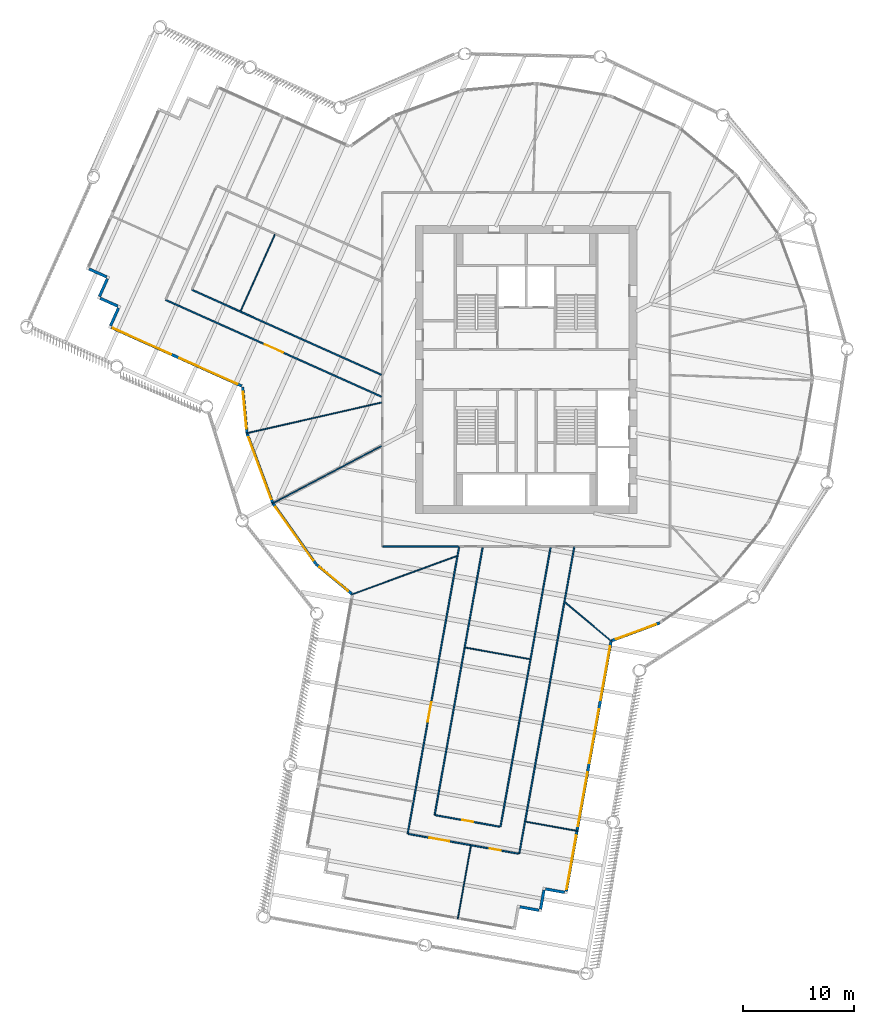
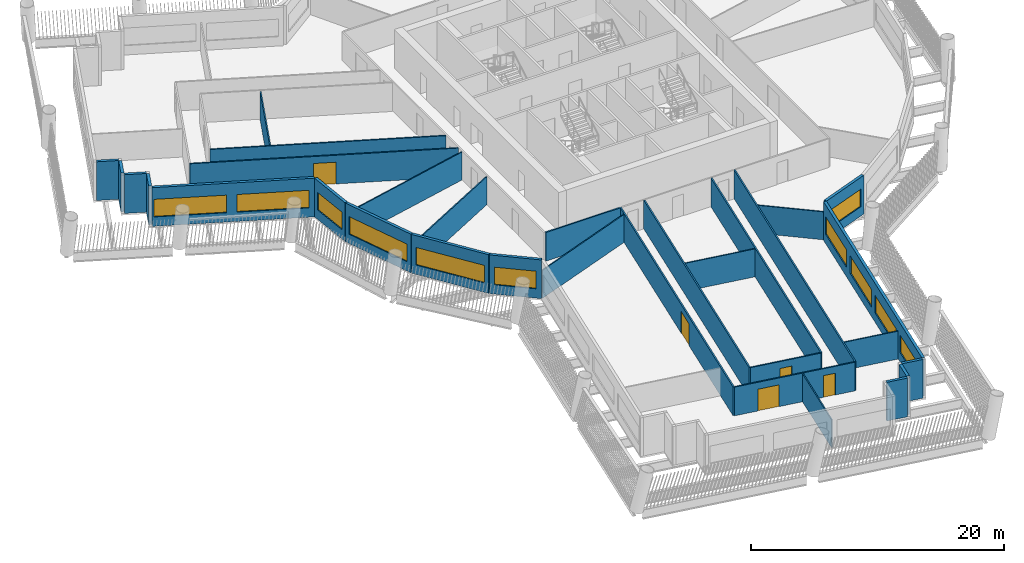
# One storey, part 3 of 14: 31 walls, 11 windows, 5 doors, 16 openings.
"""IFC4 building model written with IfcOpenShell, lengths in metres."""

from ifc_helpers import new_model, si_unit, direction, frame, frame_2d, origin, place, context, subcontext, project, spatial, rectangle, extrude, material, layer, layer_set, type_object, element, fill, save


model = new_model("IFC4")

# Units and contexts
model_context = context("Model", 3, precision=1e-05, world=origin(), true_north=direction((0.0, 1.0)))
body_context = subcontext(model_context, "Body", "Model", "MODEL_VIEW")
ifc_project = project(units=[si_unit("LENGTHUNIT", "METRE"), si_unit("AREAUNIT", "SQUARE_METRE"), si_unit("VOLUMEUNIT", "CUBIC_METRE"), si_unit("PLANEANGLEUNIT", "RADIAN"), si_unit("MASSUNIT", "GRAM", prefix="KILO")], contexts=[model_context])

# Site, building, storey
site_placement = place(None, origin())
site = spatial("IfcSite", under=ifc_project, at=site_placement, CompositionType="ELEMENT")
building_placement = place(site_placement, origin())
building = spatial("IfcBuilding", under=site, at=building_placement, Name="Tarsis Ring Headquarters", CompositionType="ELEMENT")
storey_placement = place(building_placement, frame((0.0, 0.0, 182.699951171875)))
storey = spatial("IfcBuildingStorey", under=building, at=storey_placement, Name="L42", CompositionType="ELEMENT", Elevation=182.699951171875)

# Walls
ifc_material_1 = material(Name="Gypsum board on steel studs", Category="steel")
ifc_layer_1 = layer(ifc_material_1, 0.10009765625)
ifc_layer_set_1 = layer_set([ifc_layer_1], Name="FL partition 100 unrated")
wall_type_1 = type_object("IfcWallType", Name="FL partition 100 unrated", PredefinedType="PARTITIONING", material=ifc_layer_set_1)
wall_1_placement = place(storey_placement, frame((-25.299072265625, -5.766357421875, 0.0), z_axis=(0.0, 0.0, 1.0), x_axis=(0.974993487323, 0.222233435102, 0.0)))
element("IfcWall", 1, at=wall_1_placement, inside=storey, type_object=wall_type_1, Name="Partition PW3", PredefinedType="PARTITIONING", context=body_context, shape_type="SweptSolid", body=[
    extrude(rectangle(XDim=12.544677734375, YDim=0.10009765625, at=frame_2d((6.2724609375, 0.0))), origin(), (0.0, 0.0, 1.0), 2.699951171875),
])
wall_2_placement = place(storey_placement, frame((-22.944580078125, -12.11767578125, 0.0), z_axis=(0.0, 0.0, 1.0), x_axis=(0.884257498296, 0.466999653863, 0.0)))
element("IfcWall", 2, at=wall_2_placement, inside=storey, type_object=wall_type_1, Name="Partition PW3", PredefinedType="PARTITIONING", context=body_context, shape_type="SweptSolid", body=[
    extrude(rectangle(XDim=11.15625, YDim=0.10009765625, at=frame_2d((5.578125, 0.0))), origin(), (0.0, 0.0, 1.0), 2.699951171875),
])
wall_3_placement = place(storey_placement, frame((-15.756103515625, -20.318603515625, 0.0), z_axis=(0.0, 0.0, 1.0), x_axis=(0.939148779408, 0.343510655055, 0.0)))
element("IfcWall", 3, at=wall_3_placement, inside=storey, type_object=wall_type_1, Name="Partition PW3", PredefinedType="PARTITIONING", context=body_context, shape_type="SweptSolid", body=[
    extrude(rectangle(XDim=10.077392578125, YDim=0.10009765625, at=frame_2d((5.03857421875, 0.0))), origin(), (0.0, 0.0, 1.0), 2.699951171875),
])
wall_4_placement = place(storey_placement, frame((-25.7900390625, 5.2998046875, 0.0), z_axis=(0.0, 0.0, 1.0), x_axis=(0.409294194307, 0.912402467394, 0.0)))
element("IfcWall", 4, at=wall_4_placement, inside=storey, type_object=wall_type_1, Name="Partition PW3", PredefinedType="PARTITIONING", context=body_context, shape_type="SweptSolid", body=[
    extrude(rectangle(XDim=7.56005859375, YDim=0.10009765625, at=frame_2d((3.780029296875, 0.0))), origin(), (0.0, 0.0, 1.0), 2.699951171875),
])
wall_5_placement = place(storey_placement, frame((-6.182861328125, -49.6376953125, 0.0), z_axis=(0.0, 0.0, 1.0), x_axis=(0.176393811627, 0.984319675319, 0.0)))
element("IfcWall", 5, at=wall_5_placement, inside=storey, type_object=wall_type_1, Name="Partition PW3", PredefinedType="PARTITIONING", context=body_context, shape_type="SweptSolid", body=[
    extrude(rectangle(XDim=6.7099609375, YDim=0.10009765625, at=frame_2d((3.35498046875, 0.0))), origin(), (0.0, 0.0, 1.0), 2.699951171875),
])
wall_6_placement = place(storey_placement, frame((-5.486328125, -25.115966796875, 0.0), z_axis=(0.0, 0.0, 1.0), x_axis=(0.984317666653, -0.176405020093, 0.0)))
element("IfcWall", 6, at=wall_6_placement, inside=storey, type_object=wall_type_1, Name="Partition PW3", PredefinedType="PARTITIONING", context=body_context, shape_type="SweptSolid", body=[
    extrude(rectangle(XDim=5.89990234375, YDim=0.10009765625, at=frame_2d((2.949951171875, 0.0))), origin(), (0.0, 0.0, 1.0), 2.699951171875),
])
wall_7_placement = place(storey_placement, frame((3.52294921875, -21.0419921875, 0.0), z_axis=(0.0, 0.0, 1.0), x_axis=(0.767074072456, -0.641558545548, 0.0)))
element("IfcWall", 7, at=wall_7_placement, inside=storey, type_object=wall_type_1, Name="Partition PW3", PredefinedType="PARTITIONING", context=body_context, shape_type="SweptSolid", body=[
    extrude(rectangle(XDim=5.4658203125, YDim=0.10009765625, at=frame_2d((2.73291015625, 0.0))), origin(), (0.0, 0.0, 1.0), 2.699951171875),
])
wall_8_placement = place(storey_placement, frame((-0.035400390625, -40.84423828125, 0.0), z_axis=(0.0, 0.0, 1.0), x_axis=(0.984316264024, -0.176412846406, 0.0)))
element("IfcWall", 8, at=wall_8_placement, inside=storey, type_object=wall_type_1, Name="Partition PW3", PredefinedType="PARTITIONING", context=body_context, shape_type="SweptSolid", body=[
    extrude(rectangle(XDim=4.780029296875, YDim=0.10009765625, at=frame_2d((2.39013671875, 0.0))), origin(), (0.0, 0.0, 1.0), 2.699951171875),
])
ifc_layer_2 = layer(ifc_material_1, 0.125)
ifc_layer_set_2 = layer_set([ifc_layer_2], Name="FL partition 125 EI 60 H2770")
wall_type_2 = type_object("IfcWallType", Name="FL partition 125 EI 60 H2770", PredefinedType="PARTITIONING", material=ifc_layer_set_2)
wall_9_placement = place(storey_placement, frame((-0.62646484375, -43.74560546875, 0.0), z_axis=(0.0, 0.0, 1.0), x_axis=(0.176395545633, 0.984319364577, 0.0)))
element("IfcWall", 9, at=wall_9_placement, inside=storey, type_object=wall_type_2, Name="Partition PW1", PredefinedType="PARTITIONING", context=body_context, shape_type="SweptSolid", body=[
    extrude(rectangle(XDim=28.1875, YDim=0.125, at=frame_2d((14.09375, 0.0))), origin(), (0.0, 0.0, 1.0), 2.77001953125),
])

# Wall, opening, door
wall_10_placement = place(storey_placement, frame((-10.705810546875, -41.939208984375, 0.0), z_axis=(0.0, 0.0, 1.0), x_axis=(0.176395027342, 0.984319457457, 0.0)))
wall_10 = element("IfcWall", 10, at=wall_10_placement, inside=storey, type_object=wall_type_2, Name="Partition PW1", PredefinedType="PARTITIONING", context=body_context, shape_type="SweptSolid", body=[
    extrude(rectangle(XDim=26.3525390625, YDim=0.125, at=frame_2d((13.17626953125, 0.0))), origin(), (0.0, 0.0, 1.0), 2.77001953125),
])
opening_1_placement = place(wall_10_placement, frame((10.287109375, 0.0, 0.0)))
opening_1 = element("IfcOpeningElement", 11, at=opening_1_placement, cuts=wall_10, Name="Opening D42.12", PredefinedType="OPENING", context=body_context, shape_type="SweptSolid", body=[
    extrude(rectangle(XDim=1.800048828125, YDim=2.10009765625, at=frame_2d((0.89990234375, 1.050048828125))), frame((0.0, 0.072509765625, 0.0), z_axis=(0.0, -1.0, 0.0), x_axis=(1.0, 0.0, 0.0)), (0.0, 0.0, 1.0), 0.14501953125),
])
ifc_material_2 = material(Name="Fire-rated timber door leaf in steel frame", Category="steel")
door_type_1 = type_object("IfcDoorType", Name="FL door FD60-1800", OperationType="DOUBLE_DOOR_SINGLE_SWING", PredefinedType="DOOR", material=ifc_material_2)
door_1_placement = place(opening_1_placement, origin())
door_1 = element("IfcDoor", 12, at=door_1_placement, inside=storey, type_object=door_type_1, Name="Door D42.12", OperationType="DOUBLE_DOOR_SINGLE_SWING", OverallHeight=2.10009765625, OverallWidth=1.800048828125, PredefinedType="DOOR", context=body_context, shape_type="SweptSolid", body=[
    extrude(rectangle(XDim=1.800048828125, YDim=2.10009765625, at=frame_2d((0.89990234375, 1.050048828125))), frame((0.0, 0.02490234375, 0.0), z_axis=(0.0, -1.0, 0.0), x_axis=(1.0, 0.0, 0.0)), (0.0, 0.0, 1.0), 0.050048828125),
])
fill(opening_1, door_1)

# Walls
wall_11_placement = place(storey_placement, frame((-12.93994140625, -16.0, 0.0), z_axis=(0.0, 0.0, 1.0), x_axis=(1.0, 0.0, 0.0)))
element("IfcWall", 13, at=wall_11_placement, inside=storey, type_object=wall_type_2, Name="Partition PW1", PredefinedType="PARTITIONING", context=body_context, shape_type="SweptSolid", body=[
    extrude(rectangle(XDim=6.807861328125, YDim=0.125, at=frame_2d((3.40380859375, 0.0))), origin(), (0.0, 0.0, 1.0), 2.77001953125),
])
wall_12_placement = place(storey_placement, frame((-2.322998046875, -41.30810546875, 0.0), z_axis=(0.0, 0.0, 1.0), x_axis=(0.176393006181, 0.984319819657, 0.0)))
element("IfcWall", 14, at=wall_12_placement, inside=storey, type_object=wall_type_2, Name="Partition PW1", PredefinedType="PARTITIONING", context=body_context, shape_type="SweptSolid", body=[
    extrude(rectangle(XDim=25.641357421875, YDim=0.125, at=frame_2d((12.82080078125, 0.0))), origin(), (0.0, 0.0, 1.0), 2.77001953125),
])
wall_13_placement = place(storey_placement, frame((-8.268310546875, -40.242431640625, 0.0), z_axis=(0.0, 0.0, 1.0), x_axis=(0.176395133227, 0.984319438482, 0.0)))
element("IfcWall", 15, at=wall_13_placement, inside=storey, type_object=wall_type_2, Name="Partition PW1", PredefinedType="PARTITIONING", context=body_context, shape_type="SweptSolid", body=[
    extrude(rectangle(XDim=24.55859375, YDim=0.125, at=frame_2d((12.279296875, 0.0))), origin(), (0.0, 0.0, 1.0), 2.77001953125),
])

# Wall, opening, door
wall_14_placement = place(storey_placement, frame((-32.5771484375, 6.294921875, 0.0), z_axis=(0.0, 0.0, 1.0), x_axis=(0.912405757979, -0.409286858824, 0.0)))
wall_14 = element("IfcWall", 16, at=wall_14_placement, inside=storey, type_object=wall_type_2, Name="Partition PW1", PredefinedType="PARTITIONING", context=body_context, shape_type="SweptSolid", body=[
    extrude(rectangle(XDim=21.36669921875, YDim=0.125, at=frame_2d((10.683349609375, 0.0))), origin(), (0.0, 0.0, 1.0), 2.77001953125),
])
opening_2_placement = place(wall_14_placement, frame((9.828369140625, 0.0, 0.0)))
opening_2 = element("IfcOpeningElement", 17, at=opening_2_placement, cuts=wall_14, Name="Opening D42.01", PredefinedType="OPENING", context=body_context, shape_type="SweptSolid", body=[
    extrude(rectangle(XDim=1.800048828125, YDim=2.10009765625, at=frame_2d((0.89990234375, 1.050048828125))), frame((0.0, 0.072509765625, 0.0), z_axis=(0.0, -1.0, 0.0), x_axis=(1.0, 0.0, 0.0)), (0.0, 0.0, 1.0), 0.14501953125),
])
door_2_placement = place(opening_2_placement, origin())
door_2 = element("IfcDoor", 18, at=door_2_placement, inside=storey, type_object=door_type_1, Name="Door D42.01", OperationType="DOUBLE_DOOR_SINGLE_SWING", OverallHeight=2.10009765625, OverallWidth=1.800048828125, PredefinedType="DOOR", context=body_context, shape_type="SweptSolid", body=[
    extrude(rectangle(XDim=1.800048828125, YDim=2.10009765625, at=frame_2d((0.89990234375, 1.050048828125))), frame((0.0, 0.02490234375, 0.0), z_axis=(0.0, -1.0, 0.0), x_axis=(1.0, 0.0, 0.0)), (0.0, 0.0, 1.0), 0.050048828125),
])
fill(opening_2, door_2)

# Wall
wall_15_placement = place(storey_placement, frame((-30.1982421875, 7.200439453125, 0.0), z_axis=(0.0, 0.0, 1.0), x_axis=(0.912405941297, -0.409286450161, 0.0)))
element("IfcWall", 19, at=wall_15_placement, inside=storey, type_object=wall_type_2, Name="Partition PW1", PredefinedType="PARTITIONING", context=body_context, shape_type="SweptSolid", body=[
    extrude(rectangle(XDim=18.759521484375, YDim=0.125, at=frame_2d((9.3798828125, 0.0))), origin(), (0.0, 0.0, 1.0), 2.77001953125),
])

# Wall, openings, doors
wall_16_placement = place(storey_placement, frame((-10.646728515625, -41.94970703125, 0.0), z_axis=(0.0, 0.0, 1.0), x_axis=(0.984318392021, -0.176400972585, 0.0)))
wall_16 = element("IfcWall", 20, at=wall_16_placement, inside=storey, type_object=wall_type_2, Name="Partition PW1", PredefinedType="PARTITIONING", context=body_context, shape_type="SweptSolid", body=[
    extrude(rectangle(XDim=10.119873046875, YDim=0.125, at=frame_2d((5.06005859375, 0.0))), origin(), (0.0, 0.0, 1.0), 2.77001953125),
])
opening_3_placement = place(wall_16_placement, frame((7.46337890625, 0.0, 0.0)))
opening_3 = element("IfcOpeningElement", 21, at=opening_3_placement, cuts=wall_16, Name="Opening D42.10", PredefinedType="OPENING", context=body_context, shape_type="SweptSolid", body=[
    extrude(rectangle(XDim=1.0, YDim=2.10009765625, at=frame_2d((0.5, 1.050048828125))), frame((0.0, 0.072509765625, 0.0), z_axis=(0.0, -1.0, 0.0), x_axis=(1.0, 0.0, 0.0)), (0.0, 0.0, 1.0), 0.14501953125),
])
opening_4_placement = place(wall_16_placement, frame((1.943359375, 0.0, 0.0)))
opening_4 = element("IfcOpeningElement", 22, at=opening_4_placement, cuts=wall_16, Name="Opening D42.11", PredefinedType="OPENING", context=body_context, shape_type="SweptSolid", body=[
    extrude(rectangle(XDim=1.800048828125, YDim=2.10009765625, at=frame_2d((0.89990234375, 1.050048828125))), frame((0.0, 0.072509765625, 0.0), z_axis=(0.0, -1.0, 0.0), x_axis=(1.0, 0.0, 0.0)), (0.0, 0.0, 1.0), 0.14501953125),
])
door_type_2 = type_object("IfcDoorType", Name="FL door FD60-1000", OperationType="NOTDEFINED", PredefinedType="DOOR", material=ifc_material_2)
door_3_placement = place(opening_3_placement, origin())
door_3 = element("IfcDoor", 23, at=door_3_placement, inside=storey, type_object=door_type_2, Name="Door D42.10", OperationType="SINGLE_SWING_RIGHT", OverallHeight=2.10009765625, OverallWidth=1.0, PredefinedType="DOOR", context=body_context, shape_type="SweptSolid", body=[
    extrude(rectangle(XDim=1.0, YDim=2.10009765625, at=frame_2d((0.5, 1.050048828125))), frame((0.0, 0.02490234375, 0.0), z_axis=(0.0, -1.0, 0.0), x_axis=(1.0, 0.0, 0.0)), (0.0, 0.0, 1.0), 0.050048828125),
])
fill(opening_3, door_3)
door_4_placement = place(opening_4_placement, origin())
door_4 = element("IfcDoor", 24, at=door_4_placement, inside=storey, type_object=door_type_1, Name="Door D42.11", OperationType="DOUBLE_DOOR_SINGLE_SWING", OverallHeight=2.10009765625, OverallWidth=1.800048828125, PredefinedType="DOOR", context=body_context, shape_type="SweptSolid", body=[
    extrude(rectangle(XDim=1.800048828125, YDim=2.10009765625, at=frame_2d((0.89990234375, 1.050048828125))), frame((0.0, 0.02490234375, 0.0), z_axis=(0.0, -1.0, 0.0), x_axis=(1.0, 0.0, 0.0)), (0.0, 0.0, 1.0), 0.050048828125),
])
fill(opening_4, door_4)

# Wall, opening, door
wall_17_placement = place(storey_placement, frame((-8.209228515625, -40.253173828125, 0.0), z_axis=(0.0, 0.0, 1.0), x_axis=(0.984321364741, -0.176384383987, 0.0)))
wall_17 = element("IfcWall", 25, at=wall_17_placement, inside=storey, type_object=wall_type_2, Name="Partition PW1", PredefinedType="PARTITIONING", context=body_context, shape_type="SweptSolid", body=[
    extrude(rectangle(XDim=5.919921875, YDim=0.125, at=frame_2d((2.9599609375, 0.0))), origin(), (0.0, 0.0, 1.0), 2.77001953125),
])
opening_5_placement = place(wall_17_placement, frame((2.4599609375, 0.0, 0.0)))
opening_5 = element("IfcOpeningElement", 26, at=opening_5_placement, cuts=wall_17, Name="Opening D42.18", PredefinedType="OPENING", context=body_context, shape_type="SweptSolid", body=[
    extrude(rectangle(XDim=1.0, YDim=2.10009765625, at=frame_2d((0.5, 1.050048828125))), frame((0.0, 0.072509765625, 0.0), z_axis=(0.0, -1.0, 0.0), x_axis=(1.0, 0.0, 0.0)), (0.0, 0.0, 1.0), 0.14501953125),
])
door_5_placement = place(opening_5_placement, origin())
door_5 = element("IfcDoor", 27, at=door_5_placement, inside=storey, type_object=door_type_2, Name="Door D42.18", OperationType="SINGLE_SWING_RIGHT", OverallHeight=2.10009765625, OverallWidth=1.0, PredefinedType="DOOR", context=body_context, shape_type="SweptSolid", body=[
    extrude(rectangle(XDim=1.0, YDim=2.10009765625, at=frame_2d((0.5, 1.050048828125))), frame((0.0, 0.02490234375, 0.0), z_axis=(0.0, -1.0, 0.0), x_axis=(1.0, 0.0, 0.0)), (0.0, 0.0, 1.0), 0.050048828125),
])
fill(opening_5, door_5)

# Wall, openings, windows
ifc_material_3 = material(Name="Terracotta clad insulated panel wall", Category="masonry")
ifc_layer_3 = layer(ifc_material_3, 0.25)
ifc_layer_set_3 = layer_set([ifc_layer_3], Name="Facade wall terracotta panel 250")
wall_type_3 = type_object("IfcWallType", Name="Facade wall terracotta panel 250", PredefinedType="STANDARD", material=ifc_layer_set_3)
wall_18_placement = place(storey_placement, frame((-37.478759765625, 3.797119140625, 0.0), z_axis=(0.0, 0.0, 1.0), x_axis=(0.91240448245, -0.409289702297, 0.0)))
wall_18 = element("IfcWall", 28, at=wall_18_placement, inside=storey, type_object=wall_type_3, Name="External wall L42-01", PredefinedType="STANDARD", context=body_context, shape_type="SweptSolid", body=[
    extrude(rectangle(XDim=12.921875, YDim=0.25, at=frame_2d((6.4609375, 0.0))), origin(), (0.0, 0.0, 1.0), 3.739990234375),
])
opening_6_placement = place(wall_18_placement, frame((0.16796875, 0.0, 0.89990234375)))
opening_6 = element("IfcOpeningElement", 29, at=opening_6_placement, cuts=wall_18, Name="Opening WN06", PredefinedType="OPENING", context=body_context, shape_type="SweptSolid", body=[
    extrude(rectangle(XDim=5.75, YDim=1.699951171875, at=frame_2d((2.875, 0.85009765625))), frame((0.0, 0.135009765625, 0.0), z_axis=(0.0, -1.0, 0.0), x_axis=(1.0, 0.0, 0.0)), (0.0, 0.0, 1.0), 0.27001953125),
])
opening_7_placement = place(wall_18_placement, frame((6.75390625, 0.0, 0.89990234375)))
opening_7 = element("IfcOpeningElement", 30, at=opening_7_placement, cuts=wall_18, Name="Opening WN06", PredefinedType="OPENING", context=body_context, shape_type="SweptSolid", body=[
    extrude(rectangle(XDim=5.75, YDim=1.699951171875, at=frame_2d((2.875, 0.85009765625))), frame((0.0, 0.135009765625, 0.0), z_axis=(0.0, -1.0, 0.0), x_axis=(1.0, 0.0, 0.0)), (0.0, 0.0, 1.0), 0.27001953125),
])
ifc_material_4 = material(Name="Aluminium framed double glazing", Category="aluminium")
window_type_1 = type_object("IfcWindowType", Name="Facade window 5750 x 1700", PartitioningType="SINGLE_PANEL", PredefinedType="WINDOW", material=ifc_material_4)
window_1_placement = place(opening_6_placement, origin())
window_1 = element("IfcWindow", 31, at=window_1_placement, inside=storey, type_object=window_type_1, Name="Window L42-01.1", OverallHeight=1.699951171875, OverallWidth=5.75, PartitioningType="SINGLE_PANEL", PredefinedType="WINDOW", context=body_context, shape_type="SweptSolid", body=[
    extrude(rectangle(XDim=5.75, YDim=1.699951171875, at=frame_2d((2.875, 0.85009765625))), frame((0.0, 0.030029296875, 0.0), z_axis=(0.0, -1.0, 0.0), x_axis=(1.0, 0.0, 0.0)), (0.0, 0.0, 1.0), 0.06005859375),
])
fill(opening_6, window_1)
window_2_placement = place(opening_7_placement, origin())
window_2 = element("IfcWindow", 32, at=window_2_placement, inside=storey, type_object=window_type_1, Name="Window L42-01.2", OverallHeight=1.699951171875, OverallWidth=5.75, PartitioningType="SINGLE_PANEL", PredefinedType="WINDOW", context=body_context, shape_type="SweptSolid", body=[
    extrude(rectangle(XDim=5.75, YDim=1.699951171875, at=frame_2d((2.875, 0.85009765625))), frame((0.0, 0.030029296875, 0.0), z_axis=(0.0, -1.0, 0.0), x_axis=(1.0, 0.0, 0.0)), (0.0, 0.0, 1.0), 0.06005859375),
])
fill(opening_7, window_2)

# Wall, opening, window
wall_19_placement = place(storey_placement, frame((-25.615478515625, -1.593994140625, 0.0), z_axis=(0.0, 0.0, 1.0), x_axis=(0.093071490578, -0.995659428541, 0.0)))
wall_19 = element("IfcWall", 33, at=wall_19_placement, inside=storey, type_object=wall_type_3, Name="External wall L42-02", PredefinedType="STANDARD", context=body_context, shape_type="SweptSolid", body=[
    extrude(rectangle(XDim=4.15771484375, YDim=0.25, at=frame_2d((2.078857421875, 0.0))), origin(), (0.0, 0.0, 1.0), 3.739990234375),
])
opening_8_placement = place(wall_19_placement, frame((0.420166015625, 0.0, 0.89990234375)))
opening_8 = element("IfcOpeningElement", 34, at=opening_8_placement, cuts=wall_19, Name="Opening WN01", PredefinedType="OPENING", context=body_context, shape_type="SweptSolid", body=[
    extrude(rectangle(XDim=3.35009765625, YDim=1.699951171875, at=frame_2d((1.675048828125, 0.85009765625))), frame((0.0, 0.135009765625, 0.0), z_axis=(0.0, -1.0, 0.0), x_axis=(1.0, 0.0, 0.0)), (0.0, 0.0, 1.0), 0.27001953125),
])
window_type_2 = type_object("IfcWindowType", Name="Facade window 3350 x 1700", PartitioningType="SINGLE_PANEL", PredefinedType="WINDOW", material=ifc_material_4)
window_3_placement = place(opening_8_placement, origin())
window_3 = element("IfcWindow", 35, at=window_3_placement, inside=storey, type_object=window_type_2, Name="Window L42-02.1", OverallHeight=1.699951171875, OverallWidth=3.35009765625, PartitioningType="SINGLE_PANEL", PredefinedType="WINDOW", context=body_context, shape_type="SweptSolid", body=[
    extrude(rectangle(XDim=3.35009765625, YDim=1.699951171875, at=frame_2d((1.675048828125, 0.85009765625))), frame((0.0, 0.030029296875, 0.0), z_axis=(0.0, -1.0, 0.0), x_axis=(1.0, 0.0, 0.0)), (0.0, 0.0, 1.0), 0.06005859375),
])
fill(opening_8, window_3)

wall_20_placement = place(storey_placement, frame((-25.22119140625, -5.765380859375, 0.0), z_axis=(0.0, 0.0, 1.0), x_axis=(0.347598253457, -0.937643564577, 0.0)))
wall_20 = element("IfcWall", 36, at=wall_20_placement, inside=storey, type_object=wall_type_3, Name="External wall L42-03", PredefinedType="STANDARD", context=body_context, shape_type="SweptSolid", body=[
    extrude(rectangle(XDim=6.7216796875, YDim=0.25, at=frame_2d((3.36083984375, 0.0))), origin(), (0.0, 0.0, 1.0), 3.739990234375),
])
opening_9_placement = place(wall_20_placement, frame((0.3857421875, 0.0, 0.89990234375)))
opening_9 = element("IfcOpeningElement", 37, at=opening_9_placement, cuts=wall_20, Name="Opening WN07", PredefinedType="OPENING", context=body_context, shape_type="SweptSolid", body=[
    extrude(rectangle(XDim=5.949951171875, YDim=1.699951171875, at=frame_2d((2.97509765625, 0.85009765625))), frame((0.0, 0.135009765625, 0.0), z_axis=(0.0, -1.0, 0.0), x_axis=(1.0, 0.0, 0.0)), (0.0, 0.0, 1.0), 0.27001953125),
])
window_type_3 = type_object("IfcWindowType", Name="Facade window 5950 x 1700", PartitioningType="SINGLE_PANEL", PredefinedType="WINDOW", material=ifc_material_4)
window_4_placement = place(opening_9_placement, origin())
window_4 = element("IfcWindow", 38, at=window_4_placement, inside=storey, type_object=window_type_3, Name="Window L42-03.1", OverallHeight=1.699951171875, OverallWidth=5.949951171875, PartitioningType="SINGLE_PANEL", PredefinedType="WINDOW", context=body_context, shape_type="SweptSolid", body=[
    extrude(rectangle(XDim=5.949951171875, YDim=1.699951171875, at=frame_2d((2.97509765625, 0.85009765625))), frame((0.0, 0.030029296875, 0.0), z_axis=(0.0, -1.0, 0.0), x_axis=(1.0, 0.0, 0.0)), (0.0, 0.0, 1.0), 0.06005859375),
])
fill(opening_9, window_4)

wall_21_placement = place(storey_placement, frame((-22.86962890625, -12.0966796875, 0.0), z_axis=(0.0, 0.0, 1.0), x_axis=(0.578434490124, -0.815728840139, 0.0)))
wall_21 = element("IfcWall", 39, at=wall_21_placement, inside=storey, type_object=wall_type_3, Name="External wall L42-04", PredefinedType="STANDARD", context=body_context, shape_type="SweptSolid", body=[
    extrude(rectangle(XDim=6.721435546875, YDim=0.25, at=frame_2d((3.36083984375, 0.0))), origin(), (0.0, 0.0, 1.0), 3.739990234375),
])
opening_10_placement = place(wall_21_placement, frame((0.3857421875, 0.0, 0.89990234375)))
opening_10 = element("IfcOpeningElement", 40, at=opening_10_placement, cuts=wall_21, Name="Opening WN07", PredefinedType="OPENING", context=body_context, shape_type="SweptSolid", body=[
    extrude(rectangle(XDim=5.949951171875, YDim=1.699951171875, at=frame_2d((2.97509765625, 0.85009765625))), frame((0.0, 0.135009765625, 0.0), z_axis=(0.0, -1.0, 0.0), x_axis=(1.0, 0.0, 0.0)), (0.0, 0.0, 1.0), 0.27001953125),
])
window_5_placement = place(opening_10_placement, origin())
window_5 = element("IfcWindow", 41, at=window_5_placement, inside=storey, type_object=window_type_3, Name="Window L42-04.1", OverallHeight=1.699951171875, OverallWidth=5.949951171875, PartitioningType="SINGLE_PANEL", PredefinedType="WINDOW", context=body_context, shape_type="SweptSolid", body=[
    extrude(rectangle(XDim=5.949951171875, YDim=1.699951171875, at=frame_2d((2.97509765625, 0.85009765625))), frame((0.0, 0.030029296875, 0.0), z_axis=(0.0, -1.0, 0.0), x_axis=(1.0, 0.0, 0.0)), (0.0, 0.0, 1.0), 0.06005859375),
])
fill(opening_10, window_5)

wall_22_placement = place(storey_placement, frame((-18.95947265625, -17.603515625, 0.0), z_axis=(0.0, 0.0, 1.0), x_axis=(0.769836070293, -0.638241666515, 0.0)))
wall_22 = element("IfcWall", 42, at=wall_22_placement, inside=storey, type_object=wall_type_3, Name="External wall L42-05", PredefinedType="STANDARD", context=body_context, shape_type="SweptSolid", body=[
    extrude(rectangle(XDim=4.15771484375, YDim=0.25, at=frame_2d((2.078857421875, 0.0))), origin(), (0.0, 0.0, 1.0), 3.739990234375),
])
opening_11_placement = place(wall_22_placement, frame((0.38720703125, 0.0, 0.89990234375)))
opening_11 = element("IfcOpeningElement", 43, at=opening_11_placement, cuts=wall_22, Name="Opening WN01", PredefinedType="OPENING", context=body_context, shape_type="SweptSolid", body=[
    extrude(rectangle(XDim=3.35009765625, YDim=1.699951171875, at=frame_2d((1.675048828125, 0.85009765625))), frame((0.0, 0.135009765625, 0.0), z_axis=(0.0, -1.0, 0.0), x_axis=(1.0, 0.0, 0.0)), (0.0, 0.0, 1.0), 0.27001953125),
])
window_6_placement = place(opening_11_placement, origin())
window_6 = element("IfcWindow", 44, at=window_6_placement, inside=storey, type_object=window_type_2, Name="Window L42-05.1", OverallHeight=1.699951171875, OverallWidth=3.35009765625, PartitioningType="SINGLE_PANEL", PredefinedType="WINDOW", context=body_context, shape_type="SweptSolid", body=[
    extrude(rectangle(XDim=3.35009765625, YDim=1.699951171875, at=frame_2d((1.675048828125, 0.85009765625))), frame((0.0, 0.030029296875, 0.0), z_axis=(0.0, -1.0, 0.0), x_axis=(1.0, 0.0, 0.0)), (0.0, 0.0, 1.0), 0.06005859375),
])
fill(opening_11, window_6)

# Walls
for number, where, z_axis, x_axis, name in (
    (45, (-0.570556640625, -48.535400390625, 0.0), (0.0, 0.0, 1.0), (0.98430663953, -0.176466538975, 0.0), "External wall L42-13"),
    (46, (1.297119140625, -48.7431640625, 0.0), (0.0, 0.0, 1.0), (0.176466538975, 0.98430663953, 0.0), "External wall L42-14"),
):
    element("IfcWall", number, at=place(storey_placement, frame(where, z_axis=z_axis, x_axis=x_axis)), inside=storey, type_object=wall_type_3, Name=name, PredefinedType="STANDARD", context=body_context, shape_type="SweptSolid", body=[
        extrude(rectangle(XDim=1.75, YDim=0.25, at=frame_2d((0.875, 0.0))), origin(), (0.0, 0.0, 1.0), 3.739990234375),
    ])
wall_23_placement = place(storey_placement, frame((1.7509765625, -46.919677734375, 0.0), z_axis=(0.0, 0.0, 1.0), x_axis=(0.984326523056, -0.176355595343, 0.0)))
element("IfcWall", 47, at=wall_23_placement, inside=storey, type_object=wall_type_3, Name="External wall L42-15", PredefinedType="STANDARD", context=body_context, shape_type="SweptSolid", body=[
    extrude(rectangle(XDim=1.749755859375, YDim=0.25, at=frame_2d((0.875, 0.0))), origin(), (0.0, 0.0, 1.0), 3.739990234375),
])

# Wall, openings, windows
wall_24_placement = place(storey_placement, frame((3.61865234375, -47.127197265625, 0.0), z_axis=(0.0, 0.0, 1.0), x_axis=(0.176401621417, 0.984318275743, 0.0)))
wall_24 = element("IfcWall", 48, at=wall_24_placement, inside=storey, type_object=wall_type_3, Name="External wall L42-16", PredefinedType="STANDARD", context=body_context, shape_type="SweptSolid", body=[
    extrude(rectangle(XDim=22.901123046875, YDim=0.25, at=frame_2d((11.45068359375, 0.0))), origin(), (0.0, 0.0, 1.0), 3.739990234375),
])
opening_12_placement = place(wall_24_placement, frame((0.1689453125, 0.0, 0.89990234375)))
opening_12 = element("IfcOpeningElement", 49, at=opening_12_placement, cuts=wall_24, Name="Opening WN05", PredefinedType="OPENING", context=body_context, shape_type="SweptSolid", body=[
    extrude(rectangle(XDim=4.949951171875, YDim=1.699951171875, at=frame_2d((2.47509765625, 0.85009765625))), frame((0.0, 0.135009765625, 0.0), z_axis=(0.0, -1.0, 0.0), x_axis=(1.0, 0.0, 0.0)), (0.0, 0.0, 1.0), 0.27001953125),
])
opening_13_placement = place(wall_24_placement, frame((5.956787109375, 0.0, 0.89990234375)))
opening_13 = element("IfcOpeningElement", 50, at=opening_13_placement, cuts=wall_24, Name="Opening WN05", PredefinedType="OPENING", context=body_context, shape_type="SweptSolid", body=[
    extrude(rectangle(XDim=4.949951171875, YDim=1.699951171875, at=frame_2d((2.47509765625, 0.85009765625))), frame((0.0, 0.135009765625, 0.0), z_axis=(0.0, -1.0, 0.0), x_axis=(1.0, 0.0, 0.0)), (0.0, 0.0, 1.0), 0.27001953125),
])
opening_14_placement = place(wall_24_placement, frame((11.74462890625, 0.0, 0.89990234375)))
opening_14 = element("IfcOpeningElement", 51, at=opening_14_placement, cuts=wall_24, Name="Opening WN05", PredefinedType="OPENING", context=body_context, shape_type="SweptSolid", body=[
    extrude(rectangle(XDim=4.949951171875, YDim=1.699951171875, at=frame_2d((2.47509765625, 0.85009765625))), frame((0.0, 0.135009765625, 0.0), z_axis=(0.0, -1.0, 0.0), x_axis=(1.0, 0.0, 0.0)), (0.0, 0.0, 1.0), 0.27001953125),
])
opening_15_placement = place(wall_24_placement, frame((17.532470703125, 0.0, 0.89990234375)))
opening_15 = element("IfcOpeningElement", 52, at=opening_15_placement, cuts=wall_24, Name="Opening WN05", PredefinedType="OPENING", context=body_context, shape_type="SweptSolid", body=[
    extrude(rectangle(XDim=4.949951171875, YDim=1.699951171875, at=frame_2d((2.47509765625, 0.85009765625))), frame((0.0, 0.135009765625, 0.0), z_axis=(0.0, -1.0, 0.0), x_axis=(1.0, 0.0, 0.0)), (0.0, 0.0, 1.0), 0.27001953125),
])
window_type_4 = type_object("IfcWindowType", Name="Facade window 4950 x 1700", PartitioningType="SINGLE_PANEL", PredefinedType="WINDOW", material=ifc_material_4)
window_7_placement = place(opening_12_placement, origin())
window_7 = element("IfcWindow", 53, at=window_7_placement, inside=storey, type_object=window_type_4, Name="Window L42-16.1", OverallHeight=1.699951171875, OverallWidth=4.949951171875, PartitioningType="SINGLE_PANEL", PredefinedType="WINDOW", context=body_context, shape_type="SweptSolid", body=[
    extrude(rectangle(XDim=4.949951171875, YDim=1.699951171875, at=frame_2d((2.47509765625, 0.85009765625))), frame((0.0, 0.030029296875, 0.0), z_axis=(0.0, -1.0, 0.0), x_axis=(1.0, 0.0, 0.0)), (0.0, 0.0, 1.0), 0.06005859375),
])
fill(opening_12, window_7)
window_8_placement = place(opening_13_placement, origin())
window_8 = element("IfcWindow", 54, at=window_8_placement, inside=storey, type_object=window_type_4, Name="Window L42-16.2", OverallHeight=1.699951171875, OverallWidth=4.949951171875, PartitioningType="SINGLE_PANEL", PredefinedType="WINDOW", context=body_context, shape_type="SweptSolid", body=[
    extrude(rectangle(XDim=4.949951171875, YDim=1.699951171875, at=frame_2d((2.47509765625, 0.85009765625))), frame((0.0, 0.030029296875, 0.0), z_axis=(0.0, -1.0, 0.0), x_axis=(1.0, 0.0, 0.0)), (0.0, 0.0, 1.0), 0.06005859375),
])
fill(opening_13, window_8)
window_9_placement = place(opening_14_placement, origin())
window_9 = element("IfcWindow", 55, at=window_9_placement, inside=storey, type_object=window_type_4, Name="Window L42-16.3", OverallHeight=1.699951171875, OverallWidth=4.949951171875, PartitioningType="SINGLE_PANEL", PredefinedType="WINDOW", context=body_context, shape_type="SweptSolid", body=[
    extrude(rectangle(XDim=4.949951171875, YDim=1.699951171875, at=frame_2d((2.47509765625, 0.85009765625))), frame((0.0, 0.030029296875, 0.0), z_axis=(0.0, -1.0, 0.0), x_axis=(1.0, 0.0, 0.0)), (0.0, 0.0, 1.0), 0.06005859375),
])
fill(opening_14, window_9)
window_10_placement = place(opening_15_placement, origin())
window_10 = element("IfcWindow", 56, at=window_10_placement, inside=storey, type_object=window_type_4, Name="Window L42-16.4", OverallHeight=1.699951171875, OverallWidth=4.949951171875, PartitioningType="SINGLE_PANEL", PredefinedType="WINDOW", context=body_context, shape_type="SweptSolid", body=[
    extrude(rectangle(XDim=4.949951171875, YDim=1.699951171875, at=frame_2d((2.47509765625, 0.85009765625))), frame((0.0, 0.030029296875, 0.0), z_axis=(0.0, -1.0, 0.0), x_axis=(1.0, 0.0, 0.0)), (0.0, 0.0, 1.0), 0.06005859375),
])
fill(opening_15, window_10)

# Wall, opening, window
wall_25_placement = place(storey_placement, frame((7.738037109375, -24.489990234375, 0.0), z_axis=(0.0, 0.0, 1.0), x_axis=(0.937637106419, 0.347615673792, 0.0)))
wall_25 = element("IfcWall", 57, at=wall_25_placement, inside=storey, type_object=wall_type_3, Name="External wall L42-17", PredefinedType="STANDARD", context=body_context, shape_type="SweptSolid", body=[
    extrude(rectangle(XDim=4.617919921875, YDim=0.25, at=frame_2d((2.30908203125, 0.0))), origin(), (0.0, 0.0, 1.0), 3.739990234375),
])
opening_16_placement = place(wall_25_placement, frame((0.400390625, 0.0, 0.89990234375)))
opening_16 = element("IfcOpeningElement", 58, at=opening_16_placement, cuts=wall_25, Name="Opening WN02", PredefinedType="OPENING", context=body_context, shape_type="SweptSolid", body=[
    extrude(rectangle(XDim=3.85009765625, YDim=1.699951171875, at=frame_2d((1.925048828125, 0.85009765625))), frame((0.0, 0.135009765625, 0.0), z_axis=(0.0, -1.0, 0.0), x_axis=(1.0, 0.0, 0.0)), (0.0, 0.0, 1.0), 0.27001953125),
])
window_type_5 = type_object("IfcWindowType", Name="Facade window 3850 x 1700", PartitioningType="SINGLE_PANEL", PredefinedType="WINDOW", material=ifc_material_4)
window_11_placement = place(opening_16_placement, origin())
window_11 = element("IfcWindow", 59, at=window_11_placement, inside=storey, type_object=window_type_5, Name="Window L42-17.1", OverallHeight=1.699951171875, OverallWidth=3.85009765625, PartitioningType="SINGLE_PANEL", PredefinedType="WINDOW", context=body_context, shape_type="SweptSolid", body=[
    extrude(rectangle(XDim=3.85009765625, YDim=1.699951171875, at=frame_2d((1.925048828125, 0.85009765625))), frame((0.0, 0.030029296875, 0.0), z_axis=(0.0, -1.0, 0.0), x_axis=(1.0, 0.0, 0.0)), (0.0, 0.0, 1.0), 0.06005859375),
])
fill(opening_16, window_11)

# Walls
for number, where, z_axis, x_axis, name in (
    (60, (-39.4912109375, 9.083984375, 0.0), (0.0, 0.0, 1.0), (0.912390772382, -0.40932026394, 0.0), "External wall L42-37"),
    (61, (-37.831787109375, 8.202392578125, 0.0), (0.0, 0.0, 1.0), (-0.409204118517, -0.91244286911, 0.0), "External wall L42-38"),
    (62, (-38.485107421875, 6.4404296875, 0.0), (0.0, 0.0, 1.0), (0.91244286911, -0.409204118517, 0.0), "External wall L42-39"),
    (63, (-36.825439453125, 5.55908203125, 0.0), (0.0, 0.0, 1.0), (-0.40932026394, -0.912390772382, 0.0), "External wall L42-40"),
):
    element("IfcWall", number, at=place(storey_placement, frame(where, z_axis=z_axis, x_axis=x_axis)), inside=storey, type_object=wall_type_3, Name=name, PredefinedType="STANDARD", context=body_context, shape_type="SweptSolid", body=[
        extrude(rectangle(XDim=1.75, YDim=0.25, at=frame_2d((0.875, 0.0))), origin(), (0.0, 0.0, 1.0), 3.739990234375),
    ])

save(model, "model.ifc")
